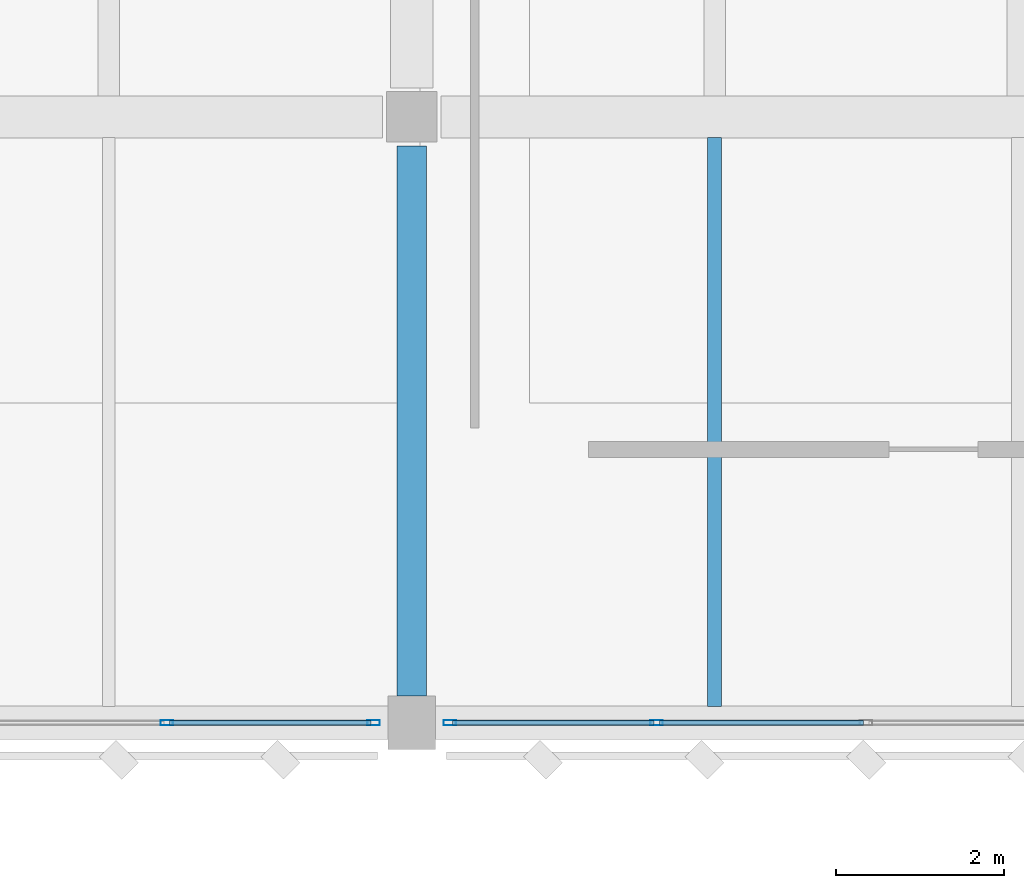
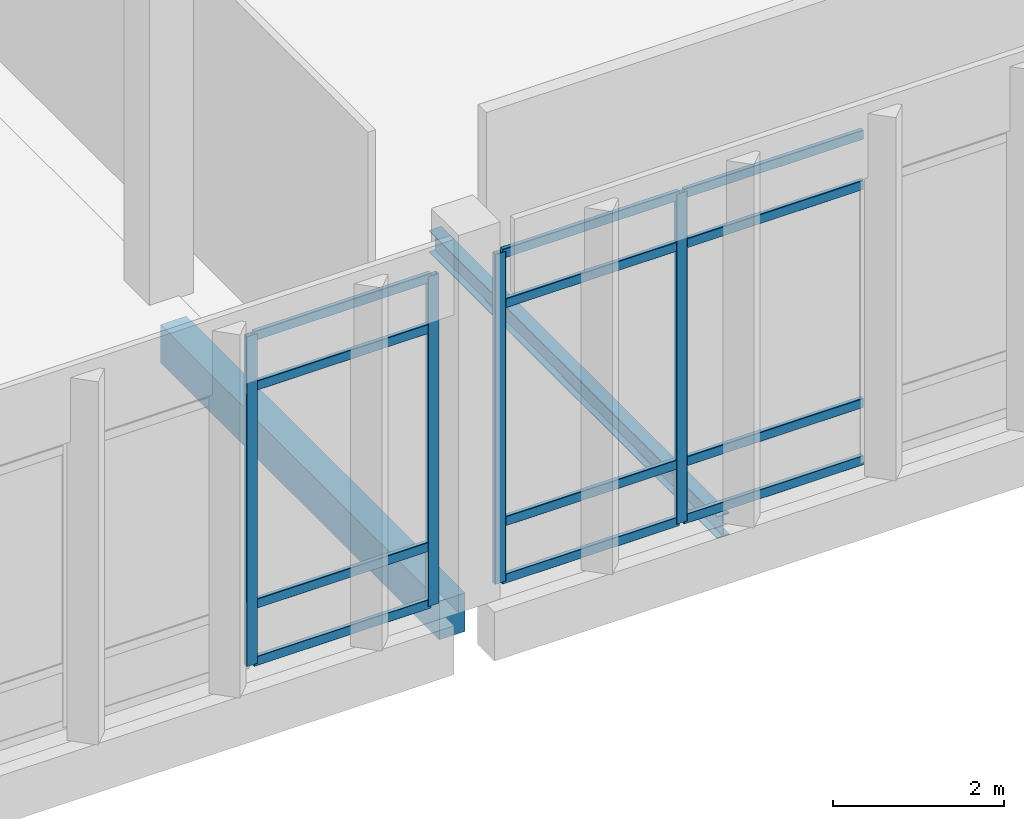
# One storey, part 71 of 180: 16 members, 2 beams, 2 elements without a shape of their own.
"""IFC4 building model written with IfcOpenShell, lengths in metres."""

import ifcopenshell
import ifcopenshell.guid

model = None  # the IFC model being written
_history = None  # IfcOwnerHistory: only IFC2X3 demands one
_inside = {}  # id of a spatial element -> (the spatial element, [elements in it])
_under = {}  # id of a project, library or spatial element -> (it, [spatial elements below it])
_declared = {}  # id of a project -> (the project, [libraries it declares])
_typed = {}  # id of a type object -> (the type object, [elements of that type])
_made_of = {}  # id of a material, layer set ... -> (it, [elements and type objects made of it])


def new_model(schema):
    """Start an empty IFC model of exactly this schema.

    Asked for "IFC4X3", IfcOpenShell would pick the latest addendum, in which some entities
    have other attributes; the version numbers below select the first issue.
    IFC2X3 requires an IfcOwnerHistory on every rooted entity: one is made here for all.
    """
    global model, _history
    if schema == "IFC4X3":
        model = ifcopenshell.file(schema_version=(4, 3, 0, 0))
    else:
        model = ifcopenshell.file(schema=schema)
    _inside.clear()
    _under.clear()
    _declared.clear()
    _typed.clear()
    _made_of.clear()
    _history = None
    if model.schema == "IFC2X3":
        org = make("IfcOrganization", Name="unknown")
        user = make(
            "IfcPersonAndOrganization",
            ThePerson=make("IfcPerson", FamilyName="unknown"),
            TheOrganization=org,
        )
        app = make(
            "IfcApplication",
            ApplicationDeveloper=org,
            Version="unknown",
            ApplicationFullName="unknown",
            ApplicationIdentifier="unknown",
        )
        _history = make(
            "IfcOwnerHistory",
            OwningUser=user,
            OwningApplication=app,
            ChangeAction="ADDED",
            CreationDate=0,
        )
    return model


def make(cls, **values):
    """One entity of the class cls with the attributes given. An attribute that is None is left unset."""
    return model.create_entity(
        cls, **{name: value for name, value in values.items() if value is not None}
    )


def rooted(cls, **values):
    """An entity with a GlobalId (a new one), such as an element, a storey or a relation."""
    return make(cls, GlobalId=ifcopenshell.guid.new(), OwnerHistory=_history, **values)


def si_unit(unit_type, name, prefix=None):
    """IfcSIUnit, for example si_unit("LENGTHUNIT", "METRE", prefix="MILLI")."""
    return make("IfcSIUnit", UnitType=unit_type, Prefix=prefix, Name=name)


def assignment(units):
    """IfcUnitAssignment: the units of a project."""
    return None if units is None else make("IfcUnitAssignment", Units=units)


def point(xyz):
    """IfcCartesianPoint."""
    return None if xyz is None else make("IfcCartesianPoint", Coordinates=xyz)


def direction(xyz):
    """IfcDirection."""
    return None if xyz is None else make("IfcDirection", DirectionRatios=xyz)


def frame(location, z_axis=None, x_axis=None):
    """IfcAxis2Placement3D, a coordinate frame: its origin and axes. An axis left out is left unset."""
    return make(
        "IfcAxis2Placement3D",
        Location=point(location),
        Axis=direction(z_axis),
        RefDirection=direction(x_axis),
    )


def frame_2d(location, x_axis=None):
    """IfcAxis2Placement2D, a coordinate frame in the plane: its origin and x axis."""
    return make(
        "IfcAxis2Placement2D", Location=point(location), RefDirection=direction(x_axis)
    )


def origin():
    """The frame at (0, 0, 0) with its axes left unset."""
    return frame((0.0, 0.0, 0.0))


def origin_2d():
    """The frame at (0, 0) in the plane with its x axis left unset."""
    return frame_2d((0.0, 0.0))


def place(relative_to, where):
    """IfcLocalPlacement: puts the frame where relative to a parent placement (None: the world)."""
    return make(
        "IfcLocalPlacement", PlacementRelTo=relative_to, RelativePlacement=where
    )


def context(
    kind, dimensions, precision=None, world=None, true_north=None, identifier=None
):
    """IfcGeometricRepresentationContext, for example the 3D "Model" context."""
    return make(
        "IfcGeometricRepresentationContext",
        ContextIdentifier=identifier,
        ContextType=kind,
        CoordinateSpaceDimension=dimensions,
        Precision=precision,
        WorldCoordinateSystem=world,
        TrueNorth=true_north,
    )


def subcontext(parent, identifier, kind, view, scale=None):
    """IfcGeometricRepresentationSubContext, for example "Body" below "Model"."""
    return make(
        "IfcGeometricRepresentationSubContext",
        ContextIdentifier=identifier,
        ContextType=kind,
        ParentContext=parent,
        TargetScale=scale,
        TargetView=view,
    )


def project(units=None, contexts=None):
    """IfcProject with its units and contexts."""
    return rooted(
        "IfcProject",
        Name="project",
        RepresentationContexts=contexts,
        UnitsInContext=assignment(units),
    )


def spatial(cls, under=None, at=None, **own):
    """A site, building, storey or space (cls), placed at a placement, below another one or the project."""
    s = rooted(cls, ObjectPlacement=at, **own)
    if under is not None:
        _under.setdefault(under.id(), (under, []))[1].append(s)
    return s


def profile(cls, at=None, kind="AREA", **sizes):
    """A parametric profile (cls). Its sizes go by their IFC names, for example OverallWidth=200.0."""
    return make(cls, ProfileType=kind, Position=at, **sizes)


def rectangle(**sizes):
    """IfcRectangleProfileDef."""
    return profile("IfcRectangleProfileDef", **sizes)


def hollow_rectangle(**sizes):
    """IfcRectangleHollowProfileDef."""
    return profile("IfcRectangleHollowProfileDef", **sizes)


def i_section(**sizes):
    """IfcIShapeProfileDef."""
    return profile("IfcIShapeProfileDef", **sizes)


def extrude(swept, where, along, depth):
    """IfcExtrudedAreaSolid: the profile swept, set in the frame where, extruded along a direction by depth."""
    return make(
        "IfcExtrudedAreaSolid",
        SweptArea=swept,
        Position=where,
        ExtrudedDirection=direction(along),
        Depth=depth,
    )


def shape(context_of_items, identifier, shape_type, items):
    """IfcShapeRepresentation: the items that make up one representation, for example the "Body"."""
    return make(
        "IfcShapeRepresentation",
        ContextOfItems=context_of_items,
        RepresentationIdentifier=identifier,
        RepresentationType=shape_type,
        Items=items,
    )


def material(Name=None, Category=None):
    """IfcMaterial."""
    return make("IfcMaterial", Name=Name, Category=Category)


def material_profile(
    of_material, cross_section, Name=None, Category=None, Priority=None
):
    """IfcMaterialProfile: a cross section and its material."""
    return make(
        "IfcMaterialProfile",
        Name=Name,
        Material=of_material,
        Profile=cross_section,
        Priority=Priority,
        Category=Category,
    )


def profile_set(profiles, Name=None, composite=None):
    """IfcMaterialProfileSet."""
    return make(
        "IfcMaterialProfileSet",
        Name=Name,
        MaterialProfiles=profiles,
        CompositeProfile=composite,
    )


def made_of(thing, what):
    """Note that an element or type object is made of a material, layer set ...; save() writes the relation."""
    if what is not None:
        _made_of.setdefault(what.id(), (what, []))[1].append(thing)
    return thing


def type_object(cls, material=None, **own):
    """A type object (cls), such as IfcWallType, which elements share."""
    return made_of(rooted(cls, **own), material)


def element(
    cls,
    number,
    at=None,
    inside=None,
    cuts=None,
    type_object=None,
    material=None,
    context=None,
    identifier="Body",
    shape_type=None,
    held_by="IfcProductDefinitionShape",
    body=None,
    shapes=None,
    **own,
):
    """One element of the class cls, such as IfcWall. Its Tag is "e" and its number.

    at: its placement. inside: the storey or other place that contains it. cuts: it is an
    opening in that element (IfcRelVoidsElement). A single representation is given by context,
    identifier, shape_type and body (its items); several are given by shapes. held_by: the class
    of the entity that holds the representations. save() writes the other relations.
    """
    e = rooted(cls, Tag="e%d" % number, ObjectPlacement=at, **own)
    if body is not None:
        shapes = [shape(context, identifier, shape_type, body)]
    if shapes is not None:
        e.Representation = make(held_by, Representations=shapes)
    if inside is not None:
        _inside.setdefault(inside.id(), (inside, []))[1].append(e)
    if cuts is not None:
        rooted(
            "IfcRelVoidsElement", RelatingBuildingElement=cuts, RelatedOpeningElement=e
        )
    if type_object is not None:
        _typed.setdefault(type_object.id(), (type_object, []))[1].append(e)
    return made_of(e, material)


def aggregate(whole, parts):
    """IfcRelAggregates: a whole, such as a stair, and the parts it consists of."""
    return rooted("IfcRelAggregates", RelatingObject=whole, RelatedObjects=parts)


def save(model, path):
    """Write the relations noted so far, then the file.

    IfcRelAggregates (storeys below a building ...), IfcRelContainedInSpatialStructure (elements
    in a storey), IfcRelDefinesByType, IfcRelAssociatesMaterial and IfcRelDeclares: one each for
    every whole, place, type object, material and project.
    """
    for whole, parts in _under.values():
        aggregate(whole, parts)
    for where, things in _inside.values():
        rooted(
            "IfcRelContainedInSpatialStructure",
            RelatedElements=things,
            RelatingStructure=where,
        )
    for kind, things in _typed.values():
        rooted("IfcRelDefinesByType", RelatedObjects=things, RelatingType=kind)
    for what, things in _made_of.values():
        rooted("IfcRelAssociatesMaterial", RelatedObjects=things, RelatingMaterial=what)
    for by, libraries in _declared.values():
        rooted("IfcRelDeclares", RelatingContext=by, RelatedDefinitions=libraries)
    model.write(path)


model = new_model("IFC4")

# Units and contexts
model_context = context("Model", 3, precision=1e-05, world=origin(), true_north=direction((0.0, 1.0)))
body_context = subcontext(model_context, "Body", "Model", "MODEL_VIEW")
ifc_project = project(units=[si_unit("LENGTHUNIT", "METRE"), si_unit("AREAUNIT", "SQUARE_METRE"), si_unit("VOLUMEUNIT", "CUBIC_METRE"), si_unit("PLANEANGLEUNIT", "RADIAN"), si_unit("MASSUNIT", "GRAM", prefix="KILO")], contexts=[model_context])

# Site, building, storey
site_placement = place(None, origin())
site = spatial("IfcSite", under=ifc_project, at=site_placement, CompositionType="ELEMENT")
building_placement = place(site_placement, origin())
building = spatial("IfcBuilding", under=site, at=building_placement, Name="Lusvemor Sports Hall", CompositionType="ELEMENT")
storey_placement = place(building_placement, frame((0.0, 0.0, 5.39990234375)))
storey = spatial("IfcBuildingStorey", under=building, at=storey_placement, Name="L01", CompositionType="ELEMENT", Elevation=5.39990234375)

# Beam
ifc_material_1 = material(Name="Concrete C40/50", Category="concrete")
ifc_material_profile_1 = material_profile(ifc_material_1, rectangle(XDim=0.35009765625, YDim=0.550048828125, at=origin_2d()), Name="RC350x550")
ifc_profile_set_1 = profile_set([ifc_material_profile_1], Name="Concrete C40/50")
beam_type_1 = type_object("IfcBeamType", Name="BEAM_RC_550", PredefinedType="BEAM", material=ifc_profile_set_1)
beam_1_placement = place(storey_placement, frame((32.39990234375, 97.51611328125, -0.534912109375), z_axis=(0.0, 1.0, 0.0), x_axis=(-1.0, 0.0, 0.0)))
element("IfcBeam", 1, at=beam_1_placement, inside=storey, type_object=beam_type_1, Name="Beam L01 4:N-P", PredefinedType="BEAM", context=body_context, shape_type="SweptSolid", body=[
    extrude(rectangle(XDim=0.35009765625, YDim=0.550048828125, at=origin_2d()), origin(), (0.0, 0.0, 1.0), 6.537841796875),
])

# Curtain wall, members
ifc_material_2 = material(Name="Thermally broken bronze-anodized aluminium", Category="aluminium")
curtain_wall_type = type_object("IfcCurtainWallType", Name="CW_WING_B", PredefinedType="NOTDEFINED", material=ifc_material_2)
curtain_wall_1_placement = place(storey_placement, origin())
curtain_wall_1 = element("IfcCurtainWall", 2, at=curtain_wall_1_placement, inside=storey, type_object=curtain_wall_type, Name="Curtain Wall CW-L01-S-3-0", PredefinedType="NOTDEFINED")
ifc_material_3 = material(Name="Thermally broken bronze-anodized aluminium", Category="aluminium")
ifc_material_profile_2 = material_profile(ifc_material_3, hollow_rectangle(XDim=0.06494140625, YDim=0.14990234375, WallThickness=0.00390625, InnerFilletRadius=0.00390625, OuterFilletRadius=0.008056640625, at=origin_2d()), Name="CWMUL150x65x4")
ifc_profile_set_2 = profile_set([ifc_material_profile_2], Name="Thermally broken bronze-anodized aluminium")
member_type_1 = type_object("IfcMemberType", Name="CW_MUL_B", PredefinedType="MULLION", material=ifc_profile_set_2)
member_1_placement = place(storey_placement, frame((31.947509765625, 97.199951171875, 0.0), z_axis=(0.0, 0.0, 1.0), x_axis=(0.0, -1.0, 0.0)))
member_1 = element("IfcMember", 3, at=member_1_placement, type_object=member_type_1, Name="CW02 mullion 1", PredefinedType="MULLION", context=body_context, shape_type="SweptSolid", body=[
    extrude(hollow_rectangle(XDim=0.06494140625, YDim=0.14990234375, WallThickness=0.00390625, InnerFilletRadius=0.00390625, OuterFilletRadius=0.008056640625, at=origin_2d()), origin(), (0.0, 0.0, 1.0), 4.72021484375),
])
member_2_placement = place(storey_placement, frame((29.489990234375, 97.199951171875, 0.0), z_axis=(0.0, 0.0, 1.0), x_axis=(0.0, -1.0, 0.0)))
member_2 = element("IfcMember", 4, at=member_2_placement, type_object=member_type_1, Name="CW02 mullion 2", PredefinedType="MULLION", context=body_context, shape_type="SweptSolid", body=[
    extrude(hollow_rectangle(XDim=0.06494140625, YDim=0.14990234375, WallThickness=0.00390625, InnerFilletRadius=0.00390625, OuterFilletRadius=0.008056640625, at=origin_2d()), origin(), (0.0, 0.0, 1.0), 4.72021484375),
])

curtain_wall_2_placement = place(storey_placement, origin())
curtain_wall_2 = element("IfcCurtainWall", 5, at=curtain_wall_2_placement, inside=storey, type_object=curtain_wall_type, Name="Curtain Wall CW-L01-S-3-1", PredefinedType="NOTDEFINED")
member_3_placement = place(storey_placement, frame((35.31005859375, 97.199951171875, 0.0), z_axis=(0.0, 0.0, 1.0), x_axis=(0.0, -1.0, 0.0)))
member_3 = element("IfcMember", 6, at=member_3_placement, type_object=member_type_1, Name="CW02 mullion 4", PredefinedType="MULLION", context=body_context, shape_type="SweptSolid", body=[
    extrude(hollow_rectangle(XDim=0.06494140625, YDim=0.14990234375, WallThickness=0.00390625, InnerFilletRadius=0.00390625, OuterFilletRadius=0.008056640625, at=origin_2d()), origin(), (0.0, 0.0, 1.0), 4.72021484375),
])
member_4_placement = place(storey_placement, frame((32.8525390625, 97.199951171875, 0.0), z_axis=(0.0, 0.0, 1.0), x_axis=(0.0, -1.0, 0.0)))
member_4 = element("IfcMember", 7, at=member_4_placement, type_object=member_type_1, Name="CW02 mullion 5", PredefinedType="MULLION", context=body_context, shape_type="SweptSolid", body=[
    extrude(hollow_rectangle(XDim=0.06494140625, YDim=0.14990234375, WallThickness=0.00390625, InnerFilletRadius=0.00390625, OuterFilletRadius=0.008056640625, at=origin_2d()), origin(), (0.0, 0.0, 1.0), 4.72021484375),
])

# Member
ifc_material_4 = material(Name="Thermally broken bronze-anodized aluminium", Category="aluminium")
ifc_material_profile_3 = material_profile(ifc_material_4, hollow_rectangle(XDim=0.06005859375, YDim=0.135009765625, WallThickness=0.00390625, InnerFilletRadius=0.00390625, OuterFilletRadius=0.008056640625, at=origin_2d()), Name="CWTRN135x60x4")
ifc_profile_set_3 = profile_set([ifc_material_profile_3], Name="Thermally broken bronze-anodized aluminium")
member_type_2 = type_object("IfcMemberType", Name="CW_TRN_B", PredefinedType="USERDEFINED", material=ifc_profile_set_3)
member_5_placement = place(storey_placement, frame((31.9150390625, 97.199951171875, 0.030029296875), z_axis=(-1.0, 0.0, 0.0), x_axis=(0.0, -1.0, 0.0)))
member_5 = element("IfcMember", 8, at=member_5_placement, type_object=member_type_2, Name="CW02 transom 1.1", ObjectType="TRANSOM", PredefinedType="USERDEFINED", context=body_context, shape_type="SweptSolid", body=[
    extrude(hollow_rectangle(XDim=0.06005859375, YDim=0.135009765625, WallThickness=0.00390625, InnerFilletRadius=0.00390625, OuterFilletRadius=0.008056640625, at=origin_2d()), origin(), (0.0, 0.0, 1.0), 2.392578125),
])

member_6_placement = place(storey_placement, frame((31.9150390625, 97.199951171875, 0.85009765625), z_axis=(-1.0, 0.0, 0.0), x_axis=(0.0, -1.0, 0.0)))
member_6 = element("IfcMember", 9, at=member_6_placement, type_object=member_type_2, Name="CW02 transom 1.2", ObjectType="TRANSOM", PredefinedType="USERDEFINED", context=body_context, shape_type="SweptSolid", body=[
    extrude(hollow_rectangle(XDim=0.06005859375, YDim=0.135009765625, WallThickness=0.00390625, InnerFilletRadius=0.00390625, OuterFilletRadius=0.008056640625, at=origin_2d()), origin(), (0.0, 0.0, 1.0), 2.392578125),
])

member_7_placement = place(storey_placement, frame((31.9150390625, 97.199951171875, 3.97021484375), z_axis=(-1.0, 0.0, 0.0), x_axis=(0.0, -1.0, 0.0)))
member_7 = element("IfcMember", 10, at=member_7_placement, type_object=member_type_2, Name="CW02 transom 1.3", ObjectType="TRANSOM", PredefinedType="USERDEFINED", context=body_context, shape_type="SweptSolid", body=[
    extrude(hollow_rectangle(XDim=0.06005859375, YDim=0.135009765625, WallThickness=0.00390625, InnerFilletRadius=0.00390625, OuterFilletRadius=0.008056640625, at=origin_2d()), origin(), (0.0, 0.0, 1.0), 2.392578125),
])

member_8_placement = place(storey_placement, frame((31.9150390625, 97.199951171875, 4.690185546875), z_axis=(-1.0, 0.0, 0.0), x_axis=(0.0, -1.0, 0.0)))
member_8 = element("IfcMember", 11, at=member_8_placement, type_object=member_type_2, Name="CW02 transom 1.4", ObjectType="TRANSOM", PredefinedType="USERDEFINED", context=body_context, shape_type="SweptSolid", body=[
    extrude(hollow_rectangle(XDim=0.06005859375, YDim=0.135009765625, WallThickness=0.00390625, InnerFilletRadius=0.00390625, OuterFilletRadius=0.008056640625, at=origin_2d()), origin(), (0.0, 0.0, 1.0), 2.392578125),
])

aggregate(curtain_wall_1, [member_1, member_2, member_5, member_6, member_7, member_8])

member_9_placement = place(storey_placement, frame((37.767578125, 97.199951171875, 0.030029296875), z_axis=(-1.0, 0.0, 0.0), x_axis=(0.0, -1.0, 0.0)))
member_9 = element("IfcMember", 12, at=member_9_placement, type_object=member_type_2, Name="CW02 transom 3.1", ObjectType="TRANSOM", PredefinedType="USERDEFINED", context=body_context, shape_type="SweptSolid", body=[
    extrude(hollow_rectangle(XDim=0.06005859375, YDim=0.135009765625, WallThickness=0.00390625, InnerFilletRadius=0.00390625, OuterFilletRadius=0.008056640625, at=origin_2d()), origin(), (0.0, 0.0, 1.0), 2.425048828125),
])

member_10_placement = place(storey_placement, frame((37.767578125, 97.199951171875, 0.85009765625), z_axis=(-1.0, 0.0, 0.0), x_axis=(0.0, -1.0, 0.0)))
member_10 = element("IfcMember", 13, at=member_10_placement, type_object=member_type_2, Name="CW02 transom 3.2", ObjectType="TRANSOM", PredefinedType="USERDEFINED", context=body_context, shape_type="SweptSolid", body=[
    extrude(hollow_rectangle(XDim=0.06005859375, YDim=0.135009765625, WallThickness=0.00390625, InnerFilletRadius=0.00390625, OuterFilletRadius=0.008056640625, at=origin_2d()), origin(), (0.0, 0.0, 1.0), 2.425048828125),
])

member_11_placement = place(storey_placement, frame((37.767578125, 97.199951171875, 3.97021484375), z_axis=(-1.0, 0.0, 0.0), x_axis=(0.0, -1.0, 0.0)))
member_11 = element("IfcMember", 14, at=member_11_placement, type_object=member_type_2, Name="CW02 transom 3.3", ObjectType="TRANSOM", PredefinedType="USERDEFINED", context=body_context, shape_type="SweptSolid", body=[
    extrude(hollow_rectangle(XDim=0.06005859375, YDim=0.135009765625, WallThickness=0.00390625, InnerFilletRadius=0.00390625, OuterFilletRadius=0.008056640625, at=origin_2d()), origin(), (0.0, 0.0, 1.0), 2.425048828125),
])

member_12_placement = place(storey_placement, frame((37.767578125, 97.199951171875, 4.690185546875), z_axis=(-1.0, 0.0, 0.0), x_axis=(0.0, -1.0, 0.0)))
member_12 = element("IfcMember", 15, at=member_12_placement, type_object=member_type_2, Name="CW02 transom 3.4", ObjectType="TRANSOM", PredefinedType="USERDEFINED", context=body_context, shape_type="SweptSolid", body=[
    extrude(hollow_rectangle(XDim=0.06005859375, YDim=0.135009765625, WallThickness=0.00390625, InnerFilletRadius=0.00390625, OuterFilletRadius=0.008056640625, at=origin_2d()), origin(), (0.0, 0.0, 1.0), 2.425048828125),
])

member_13_placement = place(storey_placement, frame((35.277587890625, 97.199951171875, 0.030029296875), z_axis=(-1.0, 0.0, 0.0), x_axis=(0.0, -1.0, 0.0)))
member_13 = element("IfcMember", 16, at=member_13_placement, type_object=member_type_2, Name="CW02 transom 4.1", ObjectType="TRANSOM", PredefinedType="USERDEFINED", context=body_context, shape_type="SweptSolid", body=[
    extrude(hollow_rectangle(XDim=0.06005859375, YDim=0.135009765625, WallThickness=0.00390625, InnerFilletRadius=0.00390625, OuterFilletRadius=0.008056640625, at=origin_2d()), origin(), (0.0, 0.0, 1.0), 2.392578125),
])

member_14_placement = place(storey_placement, frame((35.277587890625, 97.199951171875, 0.85009765625), z_axis=(-1.0, 0.0, 0.0), x_axis=(0.0, -1.0, 0.0)))
member_14 = element("IfcMember", 17, at=member_14_placement, type_object=member_type_2, Name="CW02 transom 4.2", ObjectType="TRANSOM", PredefinedType="USERDEFINED", context=body_context, shape_type="SweptSolid", body=[
    extrude(hollow_rectangle(XDim=0.06005859375, YDim=0.135009765625, WallThickness=0.00390625, InnerFilletRadius=0.00390625, OuterFilletRadius=0.008056640625, at=origin_2d()), origin(), (0.0, 0.0, 1.0), 2.392578125),
])

member_15_placement = place(storey_placement, frame((35.277587890625, 97.199951171875, 3.97021484375), z_axis=(-1.0, 0.0, 0.0), x_axis=(0.0, -1.0, 0.0)))
member_15 = element("IfcMember", 18, at=member_15_placement, type_object=member_type_2, Name="CW02 transom 4.3", ObjectType="TRANSOM", PredefinedType="USERDEFINED", context=body_context, shape_type="SweptSolid", body=[
    extrude(hollow_rectangle(XDim=0.06005859375, YDim=0.135009765625, WallThickness=0.00390625, InnerFilletRadius=0.00390625, OuterFilletRadius=0.008056640625, at=origin_2d()), origin(), (0.0, 0.0, 1.0), 2.392578125),
])

member_16_placement = place(storey_placement, frame((35.277587890625, 97.199951171875, 4.690185546875), z_axis=(-1.0, 0.0, 0.0), x_axis=(0.0, -1.0, 0.0)))
member_16 = element("IfcMember", 19, at=member_16_placement, type_object=member_type_2, Name="CW02 transom 4.4", ObjectType="TRANSOM", PredefinedType="USERDEFINED", context=body_context, shape_type="SweptSolid", body=[
    extrude(hollow_rectangle(XDim=0.06005859375, YDim=0.135009765625, WallThickness=0.00390625, InnerFilletRadius=0.00390625, OuterFilletRadius=0.008056640625, at=origin_2d()), origin(), (0.0, 0.0, 1.0), 2.392578125),
])

aggregate(curtain_wall_2, [member_3, member_4, member_9, member_10, member_11, member_12, member_13, member_14, member_15, member_16])

# Beam
ifc_material_5 = material(Name="Steel S355", Category="steel")
ifc_material_profile_4 = material_profile(ifc_material_5, i_section(OverallWidth=0.1669921875, OverallDepth=0.31689453125, WebThickness=0.007568359375, FlangeThickness=0.01318359375, FilletRadius=0.014892578125, at=origin_2d()), Name="W310x52.0")
ifc_profile_set_4 = profile_set([ifc_material_profile_4], Name="Steel S355")
beam_type_2 = type_object("IfcBeamType", Name="JOIST_ST_310M", PredefinedType="JOIST", material=ifc_profile_set_4)
beam_2_placement = place(storey_placement, frame((36.0, 97.39599609375, -0.42236328125), z_axis=(0.0, 1.0, 0.0), x_axis=(-1.0, 0.0, 0.0)))
element("IfcBeam", 20, at=beam_2_placement, inside=storey, type_object=beam_type_2, Name="Secondary Joist L01 4-5/N-P #1", PredefinedType="JOIST", context=body_context, shape_type="SweptSolid", body=[
    extrude(i_section(OverallWidth=0.1669921875, OverallDepth=0.31689453125, WebThickness=0.007568359375, FlangeThickness=0.01318359375, FilletRadius=0.014892578125, at=origin_2d()), origin(), (0.0, 0.0, 1.0), 6.758056640625),
])

save(model, "model.ifc")
